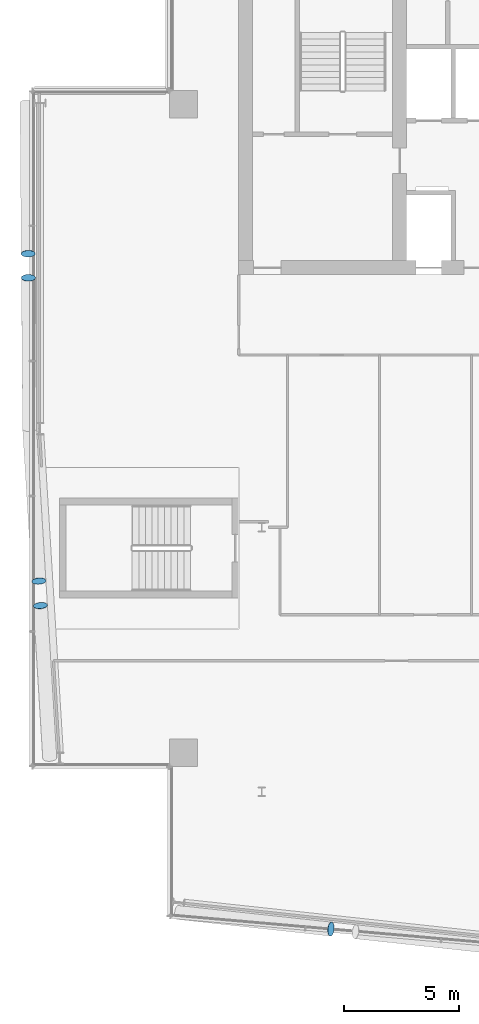
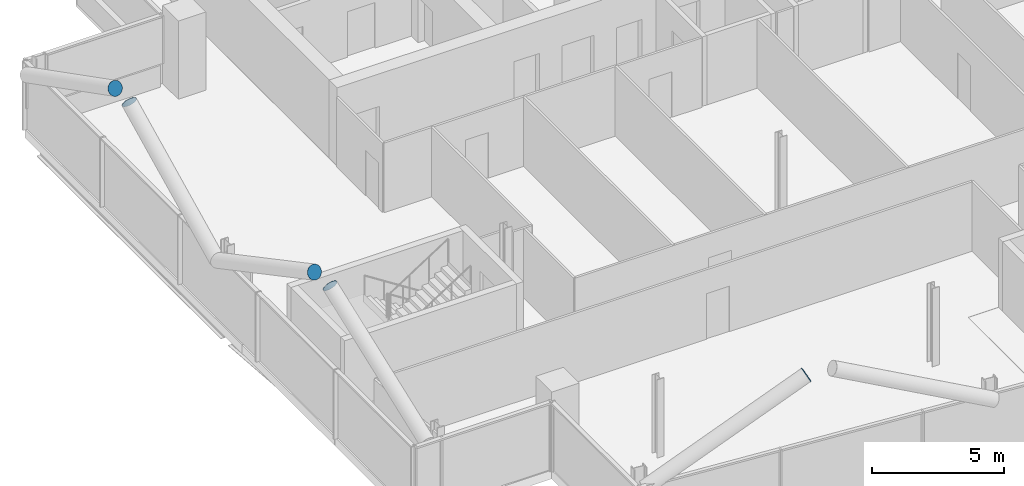
# One storey, part 21 of 26: 5 discrete accessories.
"""IFC4 building model written with IfcOpenShell, lengths in metres."""

import ifcopenshell
import ifcopenshell.guid

model = None  # the IFC model being written
_history = None  # IfcOwnerHistory: only IFC2X3 demands one
_inside = {}  # id of a spatial element -> (the spatial element, [elements in it])
_under = {}  # id of a project, library or spatial element -> (it, [spatial elements below it])
_declared = {}  # id of a project -> (the project, [libraries it declares])
_typed = {}  # id of a type object -> (the type object, [elements of that type])
_made_of = {}  # id of a material, layer set ... -> (it, [elements and type objects made of it])


def new_model(schema):
    """Start an empty IFC model of exactly this schema.

    Asked for "IFC4X3", IfcOpenShell would pick the latest addendum, in which some entities
    have other attributes; the version numbers below select the first issue.
    IFC2X3 requires an IfcOwnerHistory on every rooted entity: one is made here for all.
    """
    global model, _history
    if schema == "IFC4X3":
        model = ifcopenshell.file(schema_version=(4, 3, 0, 0))
    else:
        model = ifcopenshell.file(schema=schema)
    _inside.clear()
    _under.clear()
    _declared.clear()
    _typed.clear()
    _made_of.clear()
    _history = None
    if model.schema == "IFC2X3":
        org = make("IfcOrganization", Name="unknown")
        user = make(
            "IfcPersonAndOrganization",
            ThePerson=make("IfcPerson", FamilyName="unknown"),
            TheOrganization=org,
        )
        app = make(
            "IfcApplication",
            ApplicationDeveloper=org,
            Version="unknown",
            ApplicationFullName="unknown",
            ApplicationIdentifier="unknown",
        )
        _history = make(
            "IfcOwnerHistory",
            OwningUser=user,
            OwningApplication=app,
            ChangeAction="ADDED",
            CreationDate=0,
        )
    return model


def make(cls, **values):
    """One entity of the class cls with the attributes given. An attribute that is None is left unset."""
    return model.create_entity(
        cls, **{name: value for name, value in values.items() if value is not None}
    )


def rooted(cls, **values):
    """An entity with a GlobalId (a new one), such as an element, a storey or a relation."""
    return make(cls, GlobalId=ifcopenshell.guid.new(), OwnerHistory=_history, **values)


def si_unit(unit_type, name, prefix=None):
    """IfcSIUnit, for example si_unit("LENGTHUNIT", "METRE", prefix="MILLI")."""
    return make("IfcSIUnit", UnitType=unit_type, Prefix=prefix, Name=name)


def assignment(units):
    """IfcUnitAssignment: the units of a project."""
    return None if units is None else make("IfcUnitAssignment", Units=units)


def point(xyz):
    """IfcCartesianPoint."""
    return None if xyz is None else make("IfcCartesianPoint", Coordinates=xyz)


def direction(xyz):
    """IfcDirection."""
    return None if xyz is None else make("IfcDirection", DirectionRatios=xyz)


def frame(location, z_axis=None, x_axis=None):
    """IfcAxis2Placement3D, a coordinate frame: its origin and axes. An axis left out is left unset."""
    return make(
        "IfcAxis2Placement3D",
        Location=point(location),
        Axis=direction(z_axis),
        RefDirection=direction(x_axis),
    )


def frame_2d(location, x_axis=None):
    """IfcAxis2Placement2D, a coordinate frame in the plane: its origin and x axis."""
    return make(
        "IfcAxis2Placement2D", Location=point(location), RefDirection=direction(x_axis)
    )


def origin():
    """The frame at (0, 0, 0) with its axes left unset."""
    return frame((0.0, 0.0, 0.0))


def origin_2d():
    """The frame at (0, 0) in the plane with its x axis left unset."""
    return frame_2d((0.0, 0.0))


def place(relative_to, where):
    """IfcLocalPlacement: puts the frame where relative to a parent placement (None: the world)."""
    return make(
        "IfcLocalPlacement", PlacementRelTo=relative_to, RelativePlacement=where
    )


def context(
    kind, dimensions, precision=None, world=None, true_north=None, identifier=None
):
    """IfcGeometricRepresentationContext, for example the 3D "Model" context."""
    return make(
        "IfcGeometricRepresentationContext",
        ContextIdentifier=identifier,
        ContextType=kind,
        CoordinateSpaceDimension=dimensions,
        Precision=precision,
        WorldCoordinateSystem=world,
        TrueNorth=true_north,
    )


def subcontext(parent, identifier, kind, view, scale=None):
    """IfcGeometricRepresentationSubContext, for example "Body" below "Model"."""
    return make(
        "IfcGeometricRepresentationSubContext",
        ContextIdentifier=identifier,
        ContextType=kind,
        ParentContext=parent,
        TargetScale=scale,
        TargetView=view,
    )


def project(units=None, contexts=None):
    """IfcProject with its units and contexts."""
    return rooted(
        "IfcProject",
        Name="project",
        RepresentationContexts=contexts,
        UnitsInContext=assignment(units),
    )


def spatial(cls, under=None, at=None, **own):
    """A site, building, storey or space (cls), placed at a placement, below another one or the project."""
    s = rooted(cls, ObjectPlacement=at, **own)
    if under is not None:
        _under.setdefault(under.id(), (under, []))[1].append(s)
    return s


def profile(cls, at=None, kind="AREA", **sizes):
    """A parametric profile (cls). Its sizes go by their IFC names, for example OverallWidth=200.0."""
    return make(cls, ProfileType=kind, Position=at, **sizes)


def circle(**sizes):
    """IfcCircleProfileDef."""
    return profile("IfcCircleProfileDef", **sizes)


def extrude(swept, where, along, depth):
    """IfcExtrudedAreaSolid: the profile swept, set in the frame where, extruded along a direction by depth."""
    return make(
        "IfcExtrudedAreaSolid",
        SweptArea=swept,
        Position=where,
        ExtrudedDirection=direction(along),
        Depth=depth,
    )


def shape(context_of_items, identifier, shape_type, items):
    """IfcShapeRepresentation: the items that make up one representation, for example the "Body"."""
    return make(
        "IfcShapeRepresentation",
        ContextOfItems=context_of_items,
        RepresentationIdentifier=identifier,
        RepresentationType=shape_type,
        Items=items,
    )


def material(Name=None, Category=None):
    """IfcMaterial."""
    return make("IfcMaterial", Name=Name, Category=Category)


def material_profile(
    of_material, cross_section, Name=None, Category=None, Priority=None
):
    """IfcMaterialProfile: a cross section and its material."""
    return make(
        "IfcMaterialProfile",
        Name=Name,
        Material=of_material,
        Profile=cross_section,
        Priority=Priority,
        Category=Category,
    )


def profile_set(profiles, Name=None, composite=None):
    """IfcMaterialProfileSet."""
    return make(
        "IfcMaterialProfileSet",
        Name=Name,
        MaterialProfiles=profiles,
        CompositeProfile=composite,
    )


def made_of(thing, what):
    """Note that an element or type object is made of a material, layer set ...; save() writes the relation."""
    if what is not None:
        _made_of.setdefault(what.id(), (what, []))[1].append(thing)
    return thing


def type_object(cls, material=None, **own):
    """A type object (cls), such as IfcWallType, which elements share."""
    return made_of(rooted(cls, **own), material)


def element(
    cls,
    number,
    at=None,
    inside=None,
    cuts=None,
    type_object=None,
    material=None,
    context=None,
    identifier="Body",
    shape_type=None,
    held_by="IfcProductDefinitionShape",
    body=None,
    shapes=None,
    **own,
):
    """One element of the class cls, such as IfcWall. Its Tag is "e" and its number.

    at: its placement. inside: the storey or other place that contains it. cuts: it is an
    opening in that element (IfcRelVoidsElement). A single representation is given by context,
    identifier, shape_type and body (its items); several are given by shapes. held_by: the class
    of the entity that holds the representations. save() writes the other relations.
    """
    e = rooted(cls, Tag="e%d" % number, ObjectPlacement=at, **own)
    if body is not None:
        shapes = [shape(context, identifier, shape_type, body)]
    if shapes is not None:
        e.Representation = make(held_by, Representations=shapes)
    if inside is not None:
        _inside.setdefault(inside.id(), (inside, []))[1].append(e)
    if cuts is not None:
        rooted(
            "IfcRelVoidsElement", RelatingBuildingElement=cuts, RelatedOpeningElement=e
        )
    if type_object is not None:
        _typed.setdefault(type_object.id(), (type_object, []))[1].append(e)
    return made_of(e, material)


def aggregate(whole, parts):
    """IfcRelAggregates: a whole, such as a stair, and the parts it consists of."""
    return rooted("IfcRelAggregates", RelatingObject=whole, RelatedObjects=parts)


def save(model, path):
    """Write the relations noted so far, then the file.

    IfcRelAggregates (storeys below a building ...), IfcRelContainedInSpatialStructure (elements
    in a storey), IfcRelDefinesByType, IfcRelAssociatesMaterial and IfcRelDeclares: one each for
    every whole, place, type object, material and project.
    """
    for whole, parts in _under.values():
        aggregate(whole, parts)
    for where, things in _inside.values():
        rooted(
            "IfcRelContainedInSpatialStructure",
            RelatedElements=things,
            RelatingStructure=where,
        )
    for kind, things in _typed.values():
        rooted("IfcRelDefinesByType", RelatedObjects=things, RelatingType=kind)
    for what, things in _made_of.values():
        rooted("IfcRelAssociatesMaterial", RelatedObjects=things, RelatingMaterial=what)
    for by, libraries in _declared.values():
        rooted("IfcRelDeclares", RelatingContext=by, RelatedDefinitions=libraries)
    model.write(path)


model = new_model("IFC4")

# Units and contexts
model_context = context("Model", 3, precision=1e-05, world=origin(), true_north=direction((0.0, 1.0)))
body_context = subcontext(model_context, "Body", "Model", "MODEL_VIEW")
ifc_project = project(units=[si_unit("LENGTHUNIT", "METRE"), si_unit("AREAUNIT", "SQUARE_METRE"), si_unit("VOLUMEUNIT", "CUBIC_METRE"), si_unit("PLANEANGLEUNIT", "RADIAN"), si_unit("MASSUNIT", "GRAM", prefix="KILO")], contexts=[model_context])

# Site, building, storey
site_placement = place(None, origin())
site = spatial("IfcSite", under=ifc_project, at=site_placement, CompositionType="ELEMENT")
building_placement = place(site_placement, origin())
building = spatial("IfcBuilding", under=site, at=building_placement, Name="Wharfspan Tower", CompositionType="ELEMENT")
storey_placement = place(building_placement, frame((0.0, 0.0, 217.899902)))
storey = spatial("IfcBuildingStorey", under=building, at=storey_placement, Name="L54", CompositionType="ELEMENT", Elevation=217.899902)

# Discrete accessories
ifc_material = material(Name="Steel S460NH", Category="steel")
ifc_material_profile = material_profile(ifc_material, circle(Radius=0.304932, at=origin_2d()))
ifc_profile_set = profile_set([ifc_material_profile], Name="Steel S460NH")
discrete_accessory_type = type_object("IfcDiscreteAccessoryType", Name="End plate CHS 610x25", PredefinedType="BRACKET", material=ifc_profile_set)
discrete_accessory_1_placement = place(storey_placement, frame((27.005371, 5.52832, 6.229004), z_axis=(0.895016, -0.096758, 0.435413), x_axis=(0.107482, 0.994209, -1e-06)))
element("IfcDiscreteAccessory", 1, at=discrete_accessory_1_placement, inside=storey, type_object=discrete_accessory_type, Name="End plate CHS 610x25", PredefinedType="BRACKET", context=body_context, shape_type="SweptSolid", body=[
    extrude(circle(Radius=0.304932, at=origin_2d()), origin(), (0.0, 0.0, 1.0), 0.01001),
])
discrete_accessory_2_placement = place(storey_placement, frame((13.844727, 34.910645, 6.230225), z_axis=(0.024035, -0.88931, 0.456673), x_axis=(0.999631, 0.027015, -3e-06)))
element("IfcDiscreteAccessory", 2, at=discrete_accessory_2_placement, inside=storey, type_object=discrete_accessory_type, Name="End plate CHS 610x25", PredefinedType="BRACKET", context=body_context, shape_type="SweptSolid", body=[
    extrude(circle(Radius=0.304932, at=origin_2d()), origin(), (0.0, 0.0, 1.0), 0.010254),
])
for number, where, z_axis, x_axis, name in (
    (3, (13.853271, 33.849121, 6.230225), (0.0, 0.884385, 0.466759), (-1.0, 0.0, 0.0), "End plate CHS 610x25"),
    (4, (14.310791, 20.670654, 6.229492), (0.072718, -0.896854, 0.436308), (0.996729, 0.080815, -2e-06), "End plate CHS 610x25"),
    (5, (14.376953, 19.592773, 6.229492), (-0.072718, 0.896854, 0.436308), (-0.996729, -0.080815, -2e-06), "End plate CHS 610x25"),
):
    element("IfcDiscreteAccessory", number, at=place(storey_placement, frame(where, z_axis=z_axis, x_axis=x_axis)), inside=storey, type_object=discrete_accessory_type, Name=name, PredefinedType="BRACKET", context=body_context, shape_type="SweptSolid", body=[
        extrude(circle(Radius=0.304932, at=origin_2d()), origin(), (0.0, 0.0, 1.0), 0.01001),
    ])

save(model, "model.ifc")
